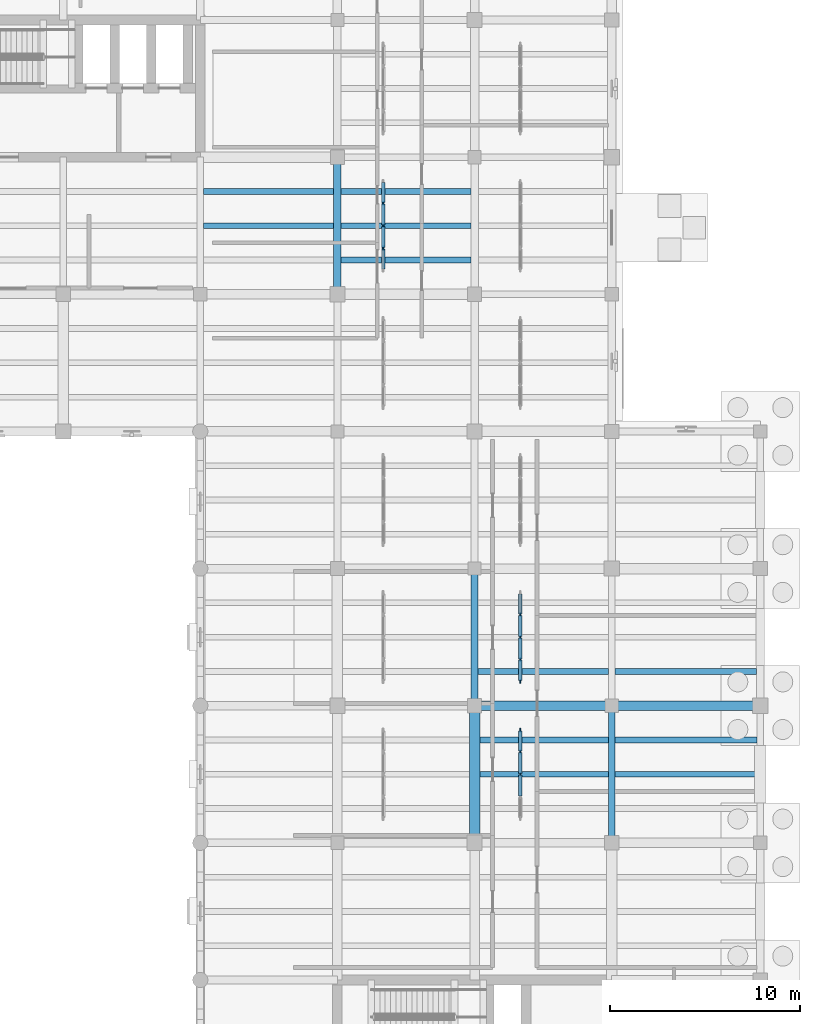
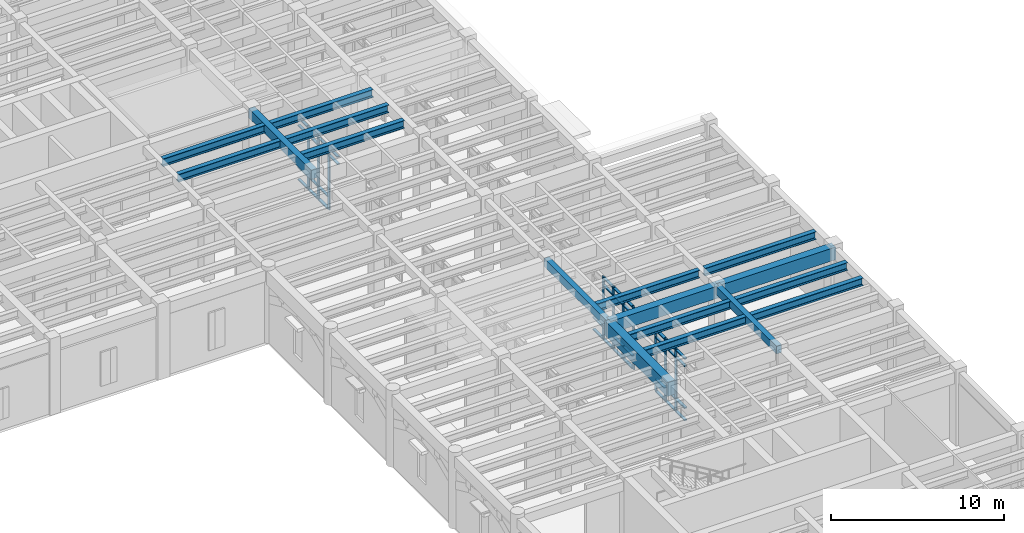
# One storey, part 43 of 100: 50 members, 17 beams, 3 elements without a shape of their own.
"""IFC4 building model written with IfcOpenShell, lengths in metres."""

from ifc_helpers import new_model, si_unit, direction, frame, origin, origin_2d, place, context, subcontext, project, spatial, rectangle, i_section, extrude, material, material_profile, profile_set, type_object, element, aggregate, save


model = new_model("IFC4")

# Units and contexts
model_context = context("Model", 3, precision=1e-05, world=origin(), true_north=direction((0.0, 1.0)))
body_context = subcontext(model_context, "Body", "Model", "MODEL_VIEW")
ifc_project = project(units=[si_unit("LENGTHUNIT", "METRE"), si_unit("AREAUNIT", "SQUARE_METRE"), si_unit("VOLUMEUNIT", "CUBIC_METRE"), si_unit("PLANEANGLEUNIT", "RADIAN"), si_unit("MASSUNIT", "GRAM", prefix="KILO")], contexts=[model_context])

# Site, building, storey
site_placement = place(None, origin())
site = spatial("IfcSite", under=ifc_project, at=site_placement, CompositionType="ELEMENT")
building_placement = place(site_placement, origin())
building = spatial("IfcBuilding", under=site, at=building_placement, Name="Mithqara Police Headquarters", CompositionType="ELEMENT")
storey_placement = place(building_placement, origin())
storey = spatial("IfcBuildingStorey", under=building, at=storey_placement, Name="L00", CompositionType="ELEMENT", Elevation=0.0)

# Beams
ifc_material_1 = material(Name="Steel S355JR", Category="steel")
ifc_material_profile_1 = material_profile(ifc_material_1, i_section(OverallWidth=0.300048828125, OverallDepth=0.550048828125, WebThickness=0.014892578125, FlangeThickness=0.029052734375, FilletRadius=0.027099609375, at=origin_2d()), Name="HEB 550")
ifc_profile_set_1 = profile_set([ifc_material_profile_1], Name="Steel S355JR")
beam_type_1 = type_object("IfcBeamType", Name="BEAM HEB550", PredefinedType="BEAM", material=ifc_profile_set_1)
for number, where, z_axis, x_axis, name in (
    (1, (144.77490234375, 89.39990234375, 4.844970703125), (1.0, 0.0, 0.0), (0.0, 1.0, 0.0), "L00 Composite Steel Joist 21-22/N.2"),
    (2, (144.77490234375, 91.199951171875, 4.844970703125), (1.0, 0.0, 0.0), (0.0, 1.0, 0.0), "L00 Composite Steel Joist 21-22/N.3"),
):
    element("IfcBeam", number, at=place(storey_placement, frame(where, z_axis=z_axis, x_axis=x_axis)), inside=storey, type_object=beam_type_1, Name=name, PredefinedType="BEAM", context=body_context, shape_type="SweptSolid", body=[
        extrude(i_section(OverallWidth=0.300048828125, OverallDepth=0.550048828125, WebThickness=0.014892578125, FlangeThickness=0.029052734375, FilletRadius=0.027099609375, at=origin_2d()), origin(), (0.0, 0.0, 1.0), 6.8251953125),
    ])
for number, where, z_axis, x_axis, name in (
    (3, (152.0, 87.60009765625, 4.844970703125), (1.0, 0.0, 0.0), (0.0, 1.0, 0.0), "L00 Composite Steel Joist 22-23/N.1"),
    (4, (152.0, 89.39990234375, 4.844970703125), (1.0, 0.0, 0.0), (0.0, 1.0, 0.0), "L00 Composite Steel Joist 22-23/N.2"),
    (5, (152.0, 91.199951171875, 4.844970703125), (1.0, 0.0, 0.0), (0.0, 1.0, 0.0), "L00 Composite Steel Joist 22-23/N.3"),
):
    element("IfcBeam", number, at=place(storey_placement, frame(where, z_axis=z_axis, x_axis=x_axis)), inside=storey, type_object=beam_type_1, Name=name, PredefinedType="BEAM", context=body_context, shape_type="SweptSolid", body=[
        extrude(i_section(OverallWidth=0.300048828125, OverallDepth=0.550048828125, WebThickness=0.014892578125, FlangeThickness=0.029052734375, FilletRadius=0.027099609375, at=origin_2d()), origin(), (0.0, 0.0, 1.0), 6.800048828125),
    ])
for number, where, z_axis, x_axis, name in (
    (6, (159.27490234375, 60.60009765625, 4.844970703125), (1.0, 0.0, 0.0), (0.0, 1.0, 0.0), "L00 Composite Steel Joist 23-24/J.2"),
    (7, (159.27490234375, 62.39990234375, 4.844970703125), (1.0, 0.0, 0.0), (0.0, 1.0, 0.0), "L00 Composite Steel Joist 23-24/J.3"),
):
    element("IfcBeam", number, at=place(storey_placement, frame(where, z_axis=z_axis, x_axis=x_axis)), inside=storey, type_object=beam_type_1, Name=name, PredefinedType="BEAM", context=body_context, shape_type="SweptSolid", body=[
        extrude(i_section(OverallWidth=0.300048828125, OverallDepth=0.550048828125, WebThickness=0.014892578125, FlangeThickness=0.029052734375, FilletRadius=0.027099609375, at=origin_2d()), origin(), (0.0, 0.0, 1.0), 6.75),
    ])
beam_1_placement = place(storey_placement, frame((159.175048828125, 66.0, 4.844970703125), z_axis=(1.0, 0.0, 0.0), x_axis=(0.0, 1.0, 0.0)))
element("IfcBeam", 8, at=beam_1_placement, inside=storey, type_object=beam_type_1, Name="L00 Composite Steel Joist 23-24/K.1", PredefinedType="BEAM", context=body_context, shape_type="SweptSolid", body=[
    extrude(i_section(OverallWidth=0.300048828125, OverallDepth=0.550048828125, WebThickness=0.014892578125, FlangeThickness=0.029052734375, FilletRadius=0.027099609375, at=origin_2d()), origin(), (0.0, 0.0, 1.0), 6.849853515625),
])
for number, where, z_axis, x_axis, name in (
    (9, (166.375, 60.60009765625, 4.844970703125), (1.0, 0.0, 0.0), (0.0, 1.0, 0.0), "L00 Composite Steel Joist 24-25/J.2"),
    (10, (166.375, 62.39990234375, 4.844970703125), (1.0, 0.0, 0.0), (0.0, 1.0, 0.0), "L00 Composite Steel Joist 24-25/J.3"),
):
    element("IfcBeam", number, at=place(storey_placement, frame(where, z_axis=z_axis, x_axis=x_axis)), inside=storey, type_object=beam_type_1, Name=name, PredefinedType="BEAM", context=body_context, shape_type="SweptSolid", body=[
        extrude(i_section(OverallWidth=0.300048828125, OverallDepth=0.550048828125, WebThickness=0.014892578125, FlangeThickness=0.029052734375, FilletRadius=0.027099609375, at=origin_2d()), origin(), (0.0, 0.0, 1.0), 7.449951171875),
    ])
beam_2_placement = place(storey_placement, frame((166.375, 66.0, 4.844970703125), z_axis=(1.0, 0.0, 0.0), x_axis=(0.0, 1.0, 0.0)))
element("IfcBeam", 11, at=beam_2_placement, inside=storey, type_object=beam_type_1, Name="L00 Composite Steel Joist 24-25/K.1", PredefinedType="BEAM", context=body_context, shape_type="SweptSolid", body=[
    extrude(i_section(OverallWidth=0.300048828125, OverallDepth=0.550048828125, WebThickness=0.014892578125, FlangeThickness=0.029052734375, FilletRadius=0.027099609375, at=origin_2d()), origin(), (0.0, 0.0, 1.0), 7.425048828125),
])
ifc_material_2 = material(Name="Concrete C40/50", Category="concrete")
ifc_material_profile_2 = material_profile(ifc_material_2, rectangle(XDim=0.35009765625, YDim=0.550048828125, at=origin_2d()), Name="RC 350x550")
ifc_profile_set_2 = profile_set([ifc_material_profile_2], Name="Concrete C40/50")
beam_type_2 = type_object("IfcBeamType", Name="BEAM RC350X550", PredefinedType="BEAM", material=ifc_profile_set_2)
for number, where, z_axis, x_axis, name in (
    (12, (159.0, 64.199951171875, 4.844970703125), (0.0, 1.0, 0.0), (-1.0, 0.0, 0.0), "L00 Girder 23/K-L"),
    (13, (166.199951171875, 57.0, 4.844970703125), (0.0, 1.0, 0.0), (-1.0, 0.0, 0.0), "L00 Girder 24/J-K"),
):
    element("IfcBeam", number, at=place(storey_placement, frame(where, z_axis=z_axis, x_axis=x_axis)), inside=storey, type_object=beam_type_2, Name=name, PredefinedType="BEAM", context=body_context, shape_type="SweptSolid", body=[
        extrude(rectangle(XDim=0.35009765625, YDim=0.550048828125, at=origin_2d()), origin(), (0.0, 0.0, 1.0), 7.199951171875),
    ])
ifc_material_profile_3 = material_profile(ifc_material_2, rectangle(XDim=0.39990234375, YDim=0.64990234375, at=origin_2d()), Name="RC 400x650")
ifc_profile_set_3 = profile_set([ifc_material_profile_3], Name="Concrete C40/50")
beam_type_3 = type_object("IfcBeamType", Name="BEAM RC400X650", PredefinedType="BEAM", material=ifc_profile_set_3)
beam_3_placement = place(storey_placement, frame((151.800048828125, 85.800048828125, 4.794921875), z_axis=(0.0, 1.0, 0.0), x_axis=(-1.0, 0.0, 0.0)))
element("IfcBeam", 14, at=beam_3_placement, inside=storey, type_object=beam_type_3, Name="L00 Girder 22/N-P", PredefinedType="BEAM", context=body_context, shape_type="SweptSolid", body=[
    extrude(rectangle(XDim=0.39990234375, YDim=0.64990234375, at=origin_2d()), origin(), (0.0, 0.0, 1.0), 7.199951171875),
])
ifc_material_profile_4 = material_profile(ifc_material_2, rectangle(XDim=0.5, YDim=0.85009765625, at=origin_2d()), Name="RC 500x850")
ifc_profile_set_4 = profile_set([ifc_material_profile_4], Name="Concrete C40/50")
beam_type_4 = type_object("IfcBeamType", Name="BEAM RC500X850", PredefinedType="BEAM", material=ifc_profile_set_4)
beam_4_placement = place(storey_placement, frame((159.0, 64.199951171875, 4.695068359375), z_axis=(1.0, 0.0, 0.0), x_axis=(0.0, 1.0, 0.0)))
element("IfcBeam", 15, at=beam_4_placement, inside=storey, type_object=beam_type_4, Name="L00 Girder 23-24/K", PredefinedType="BEAM", context=body_context, shape_type="SweptSolid", body=[
    extrude(rectangle(XDim=0.5, YDim=0.85009765625, at=origin_2d()), origin(), (0.0, 0.0, 1.0), 7.199951171875),
])
ifc_material_3 = material(Name="Concrete C50/60", Category="concrete")
ifc_material_profile_5 = material_profile(ifc_material_3, rectangle(XDim=0.5, YDim=0.89990234375, at=origin_2d()), Name="RC 500x900")
ifc_profile_set_5 = profile_set([ifc_material_profile_5], Name="Concrete C50/60")
beam_type_5 = type_object("IfcBeamType", Name="BEAM RC500X900", PredefinedType="BEAM", material=ifc_profile_set_5)
beam_5_placement = place(storey_placement, frame((166.199951171875, 64.199951171875, 4.669921875), z_axis=(1.0, 0.0, 0.0), x_axis=(0.0, 1.0, 0.0)))
element("IfcBeam", 16, at=beam_5_placement, inside=storey, type_object=beam_type_5, Name="L00 Girder 24-25/K", PredefinedType="BEAM", context=body_context, shape_type="SweptSolid", body=[
    extrude(rectangle(XDim=0.5, YDim=0.89990234375, at=origin_2d()), origin(), (0.0, 0.0, 1.0), 7.800048828125),
])
ifc_material_profile_6 = material_profile(ifc_material_3, rectangle(XDim=0.550048828125, YDim=1.0, at=origin_2d()), Name="RC 550x1000")
ifc_profile_set_6 = profile_set([ifc_material_profile_6], Name="Concrete C50/60")
beam_type_6 = type_object("IfcBeamType", Name="BEAM RC550X1000", PredefinedType="BEAM", material=ifc_profile_set_6)
beam_6_placement = place(storey_placement, frame((159.0, 57.0, 4.6201171875), z_axis=(0.0, 1.0, 0.0), x_axis=(-1.0, 0.0, 0.0)))
element("IfcBeam", 17, at=beam_6_placement, inside=storey, type_object=beam_type_6, Name="L00 Girder 23/J-K", PredefinedType="BEAM", context=body_context, shape_type="SweptSolid", body=[
    extrude(rectangle(XDim=0.550048828125, YDim=1.0, at=origin_2d()), origin(), (0.0, 0.0, 1.0), 7.199951171875),
])

# Curtain wall, members
ifc_material_4 = material(Name="Bronze anodised aluminium 6063-T6", Category="aluminium")
curtain_wall_type = type_object("IfcCurtainWallType", Name="CURTAIN WALL 4700X4400", PredefinedType="USERDEFINED", material=ifc_material_4)
curtain_wall_1_placement = place(storey_placement, origin())
curtain_wall_1 = element("IfcCurtainWall", 18, at=curtain_wall_1_placement, inside=storey, type_object=curtain_wall_type, Name="L00 Unitised Glazing CW-14 (CW-INT-L00-X21-Y12-0)", ObjectType="UNITISED GLAZING", PredefinedType="USERDEFINED")
ifc_material_profile_7 = material_profile(ifc_material_4, rectangle(XDim=0.074951171875, YDim=0.219970703125, at=origin_2d()), Name="CWM 75x220")
ifc_profile_set_7 = profile_set([ifc_material_profile_7], Name="Bronze anodised aluminium 6063-T6")
member_type_1 = type_object("IfcMemberType", Name="CWMULLION 75X220", PredefinedType="MULLION", material=ifc_profile_set_7)
member_1_placement = place(storey_placement, frame((154.199951171875, 88.22509765625, 0.0), z_axis=(0.0, 0.0, 1.0), x_axis=(-1.0, 0.0, 0.0)))
member_1 = element("IfcMember", 19, at=member_1_placement, type_object=member_type_1, Name="CW-14 mullion 2", PredefinedType="MULLION", context=body_context, shape_type="SweptSolid", body=[
    extrude(rectangle(XDim=0.074951171875, YDim=0.219970703125, at=origin_2d()), origin(), (0.0, 0.0, 1.0), 4.39990234375),
])
member_2_placement = place(storey_placement, frame((154.199951171875, 89.39990234375, 0.0), z_axis=(0.0, 0.0, 1.0), x_axis=(-1.0, 0.0, 0.0)))
member_2 = element("IfcMember", 20, at=member_2_placement, type_object=member_type_1, Name="CW-14 mullion 3", PredefinedType="MULLION", context=body_context, shape_type="SweptSolid", body=[
    extrude(rectangle(XDim=0.074951171875, YDim=0.219970703125, at=origin_2d()), origin(), (0.0, 0.0, 1.0), 4.39990234375),
])
member_3_placement = place(storey_placement, frame((154.199951171875, 90.574951171875, 0.0), z_axis=(0.0, 0.0, 1.0), x_axis=(-1.0, 0.0, 0.0)))
member_3 = element("IfcMember", 21, at=member_3_placement, type_object=member_type_1, Name="CW-14 mullion 4", PredefinedType="MULLION", context=body_context, shape_type="SweptSolid", body=[
    extrude(rectangle(XDim=0.074951171875, YDim=0.219970703125, at=origin_2d()), origin(), (0.0, 0.0, 1.0), 4.39990234375),
])

curtain_wall_2_placement = place(storey_placement, origin())
curtain_wall_2 = element("IfcCurtainWall", 22, at=curtain_wall_2_placement, inside=storey, type_object=curtain_wall_type, Name="L00 Unitised Glazing CW-14 (CW-INT-L00-X22-Y08-0)", ObjectType="UNITISED GLAZING", PredefinedType="USERDEFINED")
member_4_placement = place(storey_placement, frame((161.39990234375, 60.60009765625, 0.0), z_axis=(0.0, 0.0, 1.0), x_axis=(-1.0, 0.0, 0.0)))
member_4 = element("IfcMember", 23, at=member_4_placement, type_object=member_type_1, Name="CW-14 mullion 3", PredefinedType="MULLION", context=body_context, shape_type="SweptSolid", body=[
    extrude(rectangle(XDim=0.074951171875, YDim=0.219970703125, at=origin_2d()), origin(), (0.0, 0.0, 1.0), 4.39990234375),
])
member_5_placement = place(storey_placement, frame((161.39990234375, 61.77490234375, 0.0), z_axis=(0.0, 0.0, 1.0), x_axis=(-1.0, 0.0, 0.0)))
member_5 = element("IfcMember", 24, at=member_5_placement, type_object=member_type_1, Name="CW-14 mullion 4", PredefinedType="MULLION", context=body_context, shape_type="SweptSolid", body=[
    extrude(rectangle(XDim=0.074951171875, YDim=0.219970703125, at=origin_2d()), origin(), (0.0, 0.0, 1.0), 4.39990234375),
])
member_6_placement = place(storey_placement, frame((161.39990234375, 62.91259765625, 0.0), z_axis=(0.0, 0.0, 1.0), x_axis=(-1.0, 0.0, 0.0)))
member_6 = element("IfcMember", 25, at=member_6_placement, type_object=member_type_1, Name="CW-14 mullion 5", PredefinedType="MULLION", context=body_context, shape_type="SweptSolid", body=[
    extrude(rectangle(XDim=0.074951171875, YDim=0.219970703125, at=origin_2d()), origin(), (0.0, 0.0, 1.0), 4.39990234375),
])

curtain_wall_3_placement = place(storey_placement, origin())
curtain_wall_3 = element("IfcCurtainWall", 26, at=curtain_wall_3_placement, inside=storey, type_object=curtain_wall_type, Name="L00 Unitised Glazing CW-14 (CW-INT-L00-X22-Y09-0)", ObjectType="UNITISED GLAZING", PredefinedType="USERDEFINED")
member_7_placement = place(storey_placement, frame((161.39990234375, 65.487548828125, 0.0), z_axis=(0.0, 0.0, 1.0), x_axis=(-1.0, 0.0, 0.0)))
member_7 = element("IfcMember", 27, at=member_7_placement, type_object=member_type_1, Name="CW-14 mullion 1", PredefinedType="MULLION", context=body_context, shape_type="SweptSolid", body=[
    extrude(rectangle(XDim=0.074951171875, YDim=0.219970703125, at=origin_2d()), origin(), (0.0, 0.0, 1.0), 4.39990234375),
])
member_8_placement = place(storey_placement, frame((161.39990234375, 66.625, 0.0), z_axis=(0.0, 0.0, 1.0), x_axis=(-1.0, 0.0, 0.0)))
member_8 = element("IfcMember", 28, at=member_8_placement, type_object=member_type_1, Name="CW-14 mullion 2", PredefinedType="MULLION", context=body_context, shape_type="SweptSolid", body=[
    extrude(rectangle(XDim=0.074951171875, YDim=0.219970703125, at=origin_2d()), origin(), (0.0, 0.0, 1.0), 4.39990234375),
])
member_9_placement = place(storey_placement, frame((161.39990234375, 67.800048828125, 0.0), z_axis=(0.0, 0.0, 1.0), x_axis=(-1.0, 0.0, 0.0)))
member_9 = element("IfcMember", 29, at=member_9_placement, type_object=member_type_1, Name="CW-14 mullion 3", PredefinedType="MULLION", context=body_context, shape_type="SweptSolid", body=[
    extrude(rectangle(XDim=0.074951171875, YDim=0.219970703125, at=origin_2d()), origin(), (0.0, 0.0, 1.0), 4.39990234375),
])
member_10_placement = place(storey_placement, frame((161.39990234375, 68.97509765625, 0.0), z_axis=(0.0, 0.0, 1.0), x_axis=(-1.0, 0.0, 0.0)))
member_10 = element("IfcMember", 30, at=member_10_placement, type_object=member_type_1, Name="CW-14 mullion 4", PredefinedType="MULLION", context=body_context, shape_type="SweptSolid", body=[
    extrude(rectangle(XDim=0.074951171875, YDim=0.219970703125, at=origin_2d()), origin(), (0.0, 0.0, 1.0), 4.39990234375),
])

# Member
ifc_material_profile_8 = material_profile(ifc_material_4, rectangle(XDim=0.179931640625, YDim=0.074951171875, at=origin_2d()), Name="CWT 180x75")
ifc_profile_set_8 = profile_set([ifc_material_profile_8], Name="Bronze anodised aluminium 6063-T6")
member_type_2 = type_object("IfcMemberType", Name="CWTRANSOM 180X75", PredefinedType="USERDEFINED", material=ifc_profile_set_8)
member_11_placement = place(storey_placement, frame((154.199951171875, 87.125, 3.85009765625), z_axis=(0.0, 1.0, 0.0), x_axis=(-1.0, 0.0, 0.0)))
member_11 = element("IfcMember", 31, at=member_11_placement, type_object=member_type_2, Name="CW-14 transom 1.3", ObjectType="TRANSOM", PredefinedType="USERDEFINED", context=body_context, shape_type="SweptSolid", body=[
    extrude(rectangle(XDim=0.179931640625, YDim=0.074951171875, at=origin_2d()), origin(), (0.0, 0.0, 1.0), 1.0625),
])

member_12_placement = place(storey_placement, frame((154.199951171875, 87.125, 4.362548828125), z_axis=(0.0, 1.0, 0.0), x_axis=(-1.0, 0.0, 0.0)))
member_12 = element("IfcMember", 32, at=member_12_placement, type_object=member_type_2, Name="CW-14 transom 1.4", ObjectType="TRANSOM", PredefinedType="USERDEFINED", context=body_context, shape_type="SweptSolid", body=[
    extrude(rectangle(XDim=0.179931640625, YDim=0.074951171875, at=origin_2d()), origin(), (0.0, 0.0, 1.0), 1.0625),
])

member_13_placement = place(storey_placement, frame((154.199951171875, 88.262451171875, 0.03759765625), z_axis=(0.0, 1.0, 0.0), x_axis=(-1.0, 0.0, 0.0)))
member_13 = element("IfcMember", 33, at=member_13_placement, type_object=member_type_2, Name="CW-14 transom 2.1", ObjectType="TRANSOM", PredefinedType="USERDEFINED", context=body_context, shape_type="SweptSolid", body=[
    extrude(rectangle(XDim=0.179931640625, YDim=0.074951171875, at=origin_2d()), origin(), (0.0, 0.0, 1.0), 1.10009765625),
])

member_14_placement = place(storey_placement, frame((154.199951171875, 88.262451171875, 0.89990234375), z_axis=(0.0, 1.0, 0.0), x_axis=(-1.0, 0.0, 0.0)))
member_14 = element("IfcMember", 34, at=member_14_placement, type_object=member_type_2, Name="CW-14 transom 2.2", ObjectType="TRANSOM", PredefinedType="USERDEFINED", context=body_context, shape_type="SweptSolid", body=[
    extrude(rectangle(XDim=0.179931640625, YDim=0.074951171875, at=origin_2d()), origin(), (0.0, 0.0, 1.0), 1.10009765625),
])

member_15_placement = place(storey_placement, frame((154.199951171875, 88.262451171875, 3.85009765625), z_axis=(0.0, 1.0, 0.0), x_axis=(-1.0, 0.0, 0.0)))
member_15 = element("IfcMember", 35, at=member_15_placement, type_object=member_type_2, Name="CW-14 transom 2.3", ObjectType="TRANSOM", PredefinedType="USERDEFINED", context=body_context, shape_type="SweptSolid", body=[
    extrude(rectangle(XDim=0.179931640625, YDim=0.074951171875, at=origin_2d()), origin(), (0.0, 0.0, 1.0), 1.10009765625),
])

member_16_placement = place(storey_placement, frame((154.199951171875, 88.262451171875, 4.362548828125), z_axis=(0.0, 1.0, 0.0), x_axis=(-1.0, 0.0, 0.0)))
member_16 = element("IfcMember", 36, at=member_16_placement, type_object=member_type_2, Name="CW-14 transom 2.4", ObjectType="TRANSOM", PredefinedType="USERDEFINED", context=body_context, shape_type="SweptSolid", body=[
    extrude(rectangle(XDim=0.179931640625, YDim=0.074951171875, at=origin_2d()), origin(), (0.0, 0.0, 1.0), 1.10009765625),
])

member_17_placement = place(storey_placement, frame((154.199951171875, 89.4375, 0.03759765625), z_axis=(0.0, 1.0, 0.0), x_axis=(-1.0, 0.0, 0.0)))
member_17 = element("IfcMember", 37, at=member_17_placement, type_object=member_type_2, Name="CW-14 transom 3.1", ObjectType="TRANSOM", PredefinedType="USERDEFINED", context=body_context, shape_type="SweptSolid", body=[
    extrude(rectangle(XDim=0.179931640625, YDim=0.074951171875, at=origin_2d()), origin(), (0.0, 0.0, 1.0), 1.10009765625),
])

member_18_placement = place(storey_placement, frame((154.199951171875, 89.4375, 0.89990234375), z_axis=(0.0, 1.0, 0.0), x_axis=(-1.0, 0.0, 0.0)))
member_18 = element("IfcMember", 38, at=member_18_placement, type_object=member_type_2, Name="CW-14 transom 3.2", ObjectType="TRANSOM", PredefinedType="USERDEFINED", context=body_context, shape_type="SweptSolid", body=[
    extrude(rectangle(XDim=0.179931640625, YDim=0.074951171875, at=origin_2d()), origin(), (0.0, 0.0, 1.0), 1.10009765625),
])

member_19_placement = place(storey_placement, frame((154.199951171875, 89.4375, 3.85009765625), z_axis=(0.0, 1.0, 0.0), x_axis=(-1.0, 0.0, 0.0)))
member_19 = element("IfcMember", 39, at=member_19_placement, type_object=member_type_2, Name="CW-14 transom 3.3", ObjectType="TRANSOM", PredefinedType="USERDEFINED", context=body_context, shape_type="SweptSolid", body=[
    extrude(rectangle(XDim=0.179931640625, YDim=0.074951171875, at=origin_2d()), origin(), (0.0, 0.0, 1.0), 1.10009765625),
])

member_20_placement = place(storey_placement, frame((154.199951171875, 89.4375, 4.362548828125), z_axis=(0.0, 1.0, 0.0), x_axis=(-1.0, 0.0, 0.0)))
member_20 = element("IfcMember", 40, at=member_20_placement, type_object=member_type_2, Name="CW-14 transom 3.4", ObjectType="TRANSOM", PredefinedType="USERDEFINED", context=body_context, shape_type="SweptSolid", body=[
    extrude(rectangle(XDim=0.179931640625, YDim=0.074951171875, at=origin_2d()), origin(), (0.0, 0.0, 1.0), 1.10009765625),
])

member_21_placement = place(storey_placement, frame((154.199951171875, 90.612548828125, 0.03759765625), z_axis=(0.0, 1.0, 0.0), x_axis=(-1.0, 0.0, 0.0)))
member_21 = element("IfcMember", 41, at=member_21_placement, type_object=member_type_2, Name="CW-14 transom 4.1", ObjectType="TRANSOM", PredefinedType="USERDEFINED", context=body_context, shape_type="SweptSolid", body=[
    extrude(rectangle(XDim=0.179931640625, YDim=0.074951171875, at=origin_2d()), origin(), (0.0, 0.0, 1.0), 1.0625),
])

member_22_placement = place(storey_placement, frame((154.199951171875, 90.612548828125, 0.89990234375), z_axis=(0.0, 1.0, 0.0), x_axis=(-1.0, 0.0, 0.0)))
member_22 = element("IfcMember", 42, at=member_22_placement, type_object=member_type_2, Name="CW-14 transom 4.2", ObjectType="TRANSOM", PredefinedType="USERDEFINED", context=body_context, shape_type="SweptSolid", body=[
    extrude(rectangle(XDim=0.179931640625, YDim=0.074951171875, at=origin_2d()), origin(), (0.0, 0.0, 1.0), 1.0625),
])

member_23_placement = place(storey_placement, frame((154.199951171875, 90.612548828125, 3.85009765625), z_axis=(0.0, 1.0, 0.0), x_axis=(-1.0, 0.0, 0.0)))
member_23 = element("IfcMember", 43, at=member_23_placement, type_object=member_type_2, Name="CW-14 transom 4.3", ObjectType="TRANSOM", PredefinedType="USERDEFINED", context=body_context, shape_type="SweptSolid", body=[
    extrude(rectangle(XDim=0.179931640625, YDim=0.074951171875, at=origin_2d()), origin(), (0.0, 0.0, 1.0), 1.0625),
])

member_24_placement = place(storey_placement, frame((154.199951171875, 90.612548828125, 4.362548828125), z_axis=(0.0, 1.0, 0.0), x_axis=(-1.0, 0.0, 0.0)))
member_24 = element("IfcMember", 44, at=member_24_placement, type_object=member_type_2, Name="CW-14 transom 4.4", ObjectType="TRANSOM", PredefinedType="USERDEFINED", context=body_context, shape_type="SweptSolid", body=[
    extrude(rectangle(XDim=0.179931640625, YDim=0.074951171875, at=origin_2d()), origin(), (0.0, 0.0, 1.0), 1.0625),
])

aggregate(curtain_wall_1, [member_1, member_2, member_3, member_11, member_12, member_13, member_14, member_15, member_16, member_17, member_18, member_19, member_20, member_21, member_22, member_23, member_24])

member_25_placement = place(storey_placement, frame((161.39990234375, 59.46240234375, 0.03759765625), z_axis=(0.0, 1.0, 0.0), x_axis=(-1.0, 0.0, 0.0)))
member_25 = element("IfcMember", 45, at=member_25_placement, type_object=member_type_2, Name="CW-14 transom 2.1", ObjectType="TRANSOM", PredefinedType="USERDEFINED", context=body_context, shape_type="SweptSolid", body=[
    extrude(rectangle(XDim=0.179931640625, YDim=0.074951171875, at=origin_2d()), origin(), (0.0, 0.0, 1.0), 1.10009765625),
])

member_26_placement = place(storey_placement, frame((161.39990234375, 59.46240234375, 0.89990234375), z_axis=(0.0, 1.0, 0.0), x_axis=(-1.0, 0.0, 0.0)))
member_26 = element("IfcMember", 46, at=member_26_placement, type_object=member_type_2, Name="CW-14 transom 2.2", ObjectType="TRANSOM", PredefinedType="USERDEFINED", context=body_context, shape_type="SweptSolid", body=[
    extrude(rectangle(XDim=0.179931640625, YDim=0.074951171875, at=origin_2d()), origin(), (0.0, 0.0, 1.0), 1.10009765625),
])

member_27_placement = place(storey_placement, frame((161.39990234375, 59.46240234375, 3.85009765625), z_axis=(0.0, 1.0, 0.0), x_axis=(-1.0, 0.0, 0.0)))
member_27 = element("IfcMember", 47, at=member_27_placement, type_object=member_type_2, Name="CW-14 transom 2.3", ObjectType="TRANSOM", PredefinedType="USERDEFINED", context=body_context, shape_type="SweptSolid", body=[
    extrude(rectangle(XDim=0.179931640625, YDim=0.074951171875, at=origin_2d()), origin(), (0.0, 0.0, 1.0), 1.10009765625),
])

member_28_placement = place(storey_placement, frame((161.39990234375, 59.46240234375, 4.362548828125), z_axis=(0.0, 1.0, 0.0), x_axis=(-1.0, 0.0, 0.0)))
member_28 = element("IfcMember", 48, at=member_28_placement, type_object=member_type_2, Name="CW-14 transom 2.4", ObjectType="TRANSOM", PredefinedType="USERDEFINED", context=body_context, shape_type="SweptSolid", body=[
    extrude(rectangle(XDim=0.179931640625, YDim=0.074951171875, at=origin_2d()), origin(), (0.0, 0.0, 1.0), 1.10009765625),
])

member_29_placement = place(storey_placement, frame((161.39990234375, 60.637451171875, 0.03759765625), z_axis=(0.0, 1.0, 0.0), x_axis=(-1.0, 0.0, 0.0)))
member_29 = element("IfcMember", 49, at=member_29_placement, type_object=member_type_2, Name="CW-14 transom 3.1", ObjectType="TRANSOM", PredefinedType="USERDEFINED", context=body_context, shape_type="SweptSolid", body=[
    extrude(rectangle(XDim=0.179931640625, YDim=0.074951171875, at=origin_2d()), origin(), (0.0, 0.0, 1.0), 1.10009765625),
])

member_30_placement = place(storey_placement, frame((161.39990234375, 60.637451171875, 0.89990234375), z_axis=(0.0, 1.0, 0.0), x_axis=(-1.0, 0.0, 0.0)))
member_30 = element("IfcMember", 50, at=member_30_placement, type_object=member_type_2, Name="CW-14 transom 3.2", ObjectType="TRANSOM", PredefinedType="USERDEFINED", context=body_context, shape_type="SweptSolid", body=[
    extrude(rectangle(XDim=0.179931640625, YDim=0.074951171875, at=origin_2d()), origin(), (0.0, 0.0, 1.0), 1.10009765625),
])

member_31_placement = place(storey_placement, frame((161.39990234375, 60.637451171875, 3.85009765625), z_axis=(0.0, 1.0, 0.0), x_axis=(-1.0, 0.0, 0.0)))
member_31 = element("IfcMember", 51, at=member_31_placement, type_object=member_type_2, Name="CW-14 transom 3.3", ObjectType="TRANSOM", PredefinedType="USERDEFINED", context=body_context, shape_type="SweptSolid", body=[
    extrude(rectangle(XDim=0.179931640625, YDim=0.074951171875, at=origin_2d()), origin(), (0.0, 0.0, 1.0), 1.10009765625),
])

member_32_placement = place(storey_placement, frame((161.39990234375, 60.637451171875, 4.362548828125), z_axis=(0.0, 1.0, 0.0), x_axis=(-1.0, 0.0, 0.0)))
member_32 = element("IfcMember", 52, at=member_32_placement, type_object=member_type_2, Name="CW-14 transom 3.4", ObjectType="TRANSOM", PredefinedType="USERDEFINED", context=body_context, shape_type="SweptSolid", body=[
    extrude(rectangle(XDim=0.179931640625, YDim=0.074951171875, at=origin_2d()), origin(), (0.0, 0.0, 1.0), 1.10009765625),
])

member_33_placement = place(storey_placement, frame((161.39990234375, 61.8125, 0.03759765625), z_axis=(0.0, 1.0, 0.0), x_axis=(-1.0, 0.0, 0.0)))
member_33 = element("IfcMember", 53, at=member_33_placement, type_object=member_type_2, Name="CW-14 transom 4.1", ObjectType="TRANSOM", PredefinedType="USERDEFINED", context=body_context, shape_type="SweptSolid", body=[
    extrude(rectangle(XDim=0.179931640625, YDim=0.074951171875, at=origin_2d()), origin(), (0.0, 0.0, 1.0), 1.0625),
])

member_34_placement = place(storey_placement, frame((161.39990234375, 61.8125, 0.89990234375), z_axis=(0.0, 1.0, 0.0), x_axis=(-1.0, 0.0, 0.0)))
member_34 = element("IfcMember", 54, at=member_34_placement, type_object=member_type_2, Name="CW-14 transom 4.2", ObjectType="TRANSOM", PredefinedType="USERDEFINED", context=body_context, shape_type="SweptSolid", body=[
    extrude(rectangle(XDim=0.179931640625, YDim=0.074951171875, at=origin_2d()), origin(), (0.0, 0.0, 1.0), 1.0625),
])

member_35_placement = place(storey_placement, frame((161.39990234375, 61.8125, 3.85009765625), z_axis=(0.0, 1.0, 0.0), x_axis=(-1.0, 0.0, 0.0)))
member_35 = element("IfcMember", 55, at=member_35_placement, type_object=member_type_2, Name="CW-14 transom 4.3", ObjectType="TRANSOM", PredefinedType="USERDEFINED", context=body_context, shape_type="SweptSolid", body=[
    extrude(rectangle(XDim=0.179931640625, YDim=0.074951171875, at=origin_2d()), origin(), (0.0, 0.0, 1.0), 1.0625),
])

member_36_placement = place(storey_placement, frame((161.39990234375, 61.8125, 4.362548828125), z_axis=(0.0, 1.0, 0.0), x_axis=(-1.0, 0.0, 0.0)))
member_36 = element("IfcMember", 56, at=member_36_placement, type_object=member_type_2, Name="CW-14 transom 4.4", ObjectType="TRANSOM", PredefinedType="USERDEFINED", context=body_context, shape_type="SweptSolid", body=[
    extrude(rectangle(XDim=0.179931640625, YDim=0.074951171875, at=origin_2d()), origin(), (0.0, 0.0, 1.0), 1.0625),
])

aggregate(curtain_wall_2, [member_4, member_5, member_6, member_25, member_26, member_27, member_28, member_29, member_30, member_31, member_32, member_33, member_34, member_35, member_36])

member_37_placement = place(storey_placement, frame((161.39990234375, 65.52490234375, 0.03759765625), z_axis=(0.0, 1.0, 0.0), x_axis=(-1.0, 0.0, 0.0)))
member_37 = element("IfcMember", 57, at=member_37_placement, type_object=member_type_2, Name="CW-14 transom 1.1", ObjectType="TRANSOM", PredefinedType="USERDEFINED", context=body_context, shape_type="SweptSolid", body=[
    extrude(rectangle(XDim=0.179931640625, YDim=0.074951171875, at=origin_2d()), origin(), (0.0, 0.0, 1.0), 1.0625),
])

member_38_placement = place(storey_placement, frame((161.39990234375, 65.52490234375, 0.89990234375), z_axis=(0.0, 1.0, 0.0), x_axis=(-1.0, 0.0, 0.0)))
member_38 = element("IfcMember", 58, at=member_38_placement, type_object=member_type_2, Name="CW-14 transom 1.2", ObjectType="TRANSOM", PredefinedType="USERDEFINED", context=body_context, shape_type="SweptSolid", body=[
    extrude(rectangle(XDim=0.179931640625, YDim=0.074951171875, at=origin_2d()), origin(), (0.0, 0.0, 1.0), 1.0625),
])

member_39_placement = place(storey_placement, frame((161.39990234375, 65.52490234375, 3.85009765625), z_axis=(0.0, 1.0, 0.0), x_axis=(-1.0, 0.0, 0.0)))
member_39 = element("IfcMember", 59, at=member_39_placement, type_object=member_type_2, Name="CW-14 transom 1.3", ObjectType="TRANSOM", PredefinedType="USERDEFINED", context=body_context, shape_type="SweptSolid", body=[
    extrude(rectangle(XDim=0.179931640625, YDim=0.074951171875, at=origin_2d()), origin(), (0.0, 0.0, 1.0), 1.0625),
])

member_40_placement = place(storey_placement, frame((161.39990234375, 65.52490234375, 4.362548828125), z_axis=(0.0, 1.0, 0.0), x_axis=(-1.0, 0.0, 0.0)))
member_40 = element("IfcMember", 60, at=member_40_placement, type_object=member_type_2, Name="CW-14 transom 1.4", ObjectType="TRANSOM", PredefinedType="USERDEFINED", context=body_context, shape_type="SweptSolid", body=[
    extrude(rectangle(XDim=0.179931640625, YDim=0.074951171875, at=origin_2d()), origin(), (0.0, 0.0, 1.0), 1.0625),
])

member_41_placement = place(storey_placement, frame((161.39990234375, 66.66259765625, 0.03759765625), z_axis=(0.0, 1.0, 0.0), x_axis=(-1.0, 0.0, 0.0)))
member_41 = element("IfcMember", 61, at=member_41_placement, type_object=member_type_2, Name="CW-14 transom 2.1", ObjectType="TRANSOM", PredefinedType="USERDEFINED", context=body_context, shape_type="SweptSolid", body=[
    extrude(rectangle(XDim=0.179931640625, YDim=0.074951171875, at=origin_2d()), origin(), (0.0, 0.0, 1.0), 1.099853515625),
])

member_42_placement = place(storey_placement, frame((161.39990234375, 66.66259765625, 0.89990234375), z_axis=(0.0, 1.0, 0.0), x_axis=(-1.0, 0.0, 0.0)))
member_42 = element("IfcMember", 62, at=member_42_placement, type_object=member_type_2, Name="CW-14 transom 2.2", ObjectType="TRANSOM", PredefinedType="USERDEFINED", context=body_context, shape_type="SweptSolid", body=[
    extrude(rectangle(XDim=0.179931640625, YDim=0.074951171875, at=origin_2d()), origin(), (0.0, 0.0, 1.0), 1.099853515625),
])

member_43_placement = place(storey_placement, frame((161.39990234375, 66.66259765625, 3.85009765625), z_axis=(0.0, 1.0, 0.0), x_axis=(-1.0, 0.0, 0.0)))
member_43 = element("IfcMember", 63, at=member_43_placement, type_object=member_type_2, Name="CW-14 transom 2.3", ObjectType="TRANSOM", PredefinedType="USERDEFINED", context=body_context, shape_type="SweptSolid", body=[
    extrude(rectangle(XDim=0.179931640625, YDim=0.074951171875, at=origin_2d()), origin(), (0.0, 0.0, 1.0), 1.099853515625),
])

member_44_placement = place(storey_placement, frame((161.39990234375, 66.66259765625, 4.362548828125), z_axis=(0.0, 1.0, 0.0), x_axis=(-1.0, 0.0, 0.0)))
member_44 = element("IfcMember", 64, at=member_44_placement, type_object=member_type_2, Name="CW-14 transom 2.4", ObjectType="TRANSOM", PredefinedType="USERDEFINED", context=body_context, shape_type="SweptSolid", body=[
    extrude(rectangle(XDim=0.179931640625, YDim=0.074951171875, at=origin_2d()), origin(), (0.0, 0.0, 1.0), 1.099853515625),
])

member_45_placement = place(storey_placement, frame((161.39990234375, 67.83740234375, 0.03759765625), z_axis=(0.0, 1.0, 0.0), x_axis=(-1.0, 0.0, 0.0)))
member_45 = element("IfcMember", 65, at=member_45_placement, type_object=member_type_2, Name="CW-14 transom 3.1", ObjectType="TRANSOM", PredefinedType="USERDEFINED", context=body_context, shape_type="SweptSolid", body=[
    extrude(rectangle(XDim=0.179931640625, YDim=0.074951171875, at=origin_2d()), origin(), (0.0, 0.0, 1.0), 1.10009765625),
])

member_46_placement = place(storey_placement, frame((161.39990234375, 67.83740234375, 0.89990234375), z_axis=(0.0, 1.0, 0.0), x_axis=(-1.0, 0.0, 0.0)))
member_46 = element("IfcMember", 66, at=member_46_placement, type_object=member_type_2, Name="CW-14 transom 3.2", ObjectType="TRANSOM", PredefinedType="USERDEFINED", context=body_context, shape_type="SweptSolid", body=[
    extrude(rectangle(XDim=0.179931640625, YDim=0.074951171875, at=origin_2d()), origin(), (0.0, 0.0, 1.0), 1.10009765625),
])

member_47_placement = place(storey_placement, frame((161.39990234375, 67.83740234375, 3.85009765625), z_axis=(0.0, 1.0, 0.0), x_axis=(-1.0, 0.0, 0.0)))
member_47 = element("IfcMember", 67, at=member_47_placement, type_object=member_type_2, Name="CW-14 transom 3.3", ObjectType="TRANSOM", PredefinedType="USERDEFINED", context=body_context, shape_type="SweptSolid", body=[
    extrude(rectangle(XDim=0.179931640625, YDim=0.074951171875, at=origin_2d()), origin(), (0.0, 0.0, 1.0), 1.10009765625),
])

member_48_placement = place(storey_placement, frame((161.39990234375, 67.83740234375, 4.362548828125), z_axis=(0.0, 1.0, 0.0), x_axis=(-1.0, 0.0, 0.0)))
member_48 = element("IfcMember", 68, at=member_48_placement, type_object=member_type_2, Name="CW-14 transom 3.4", ObjectType="TRANSOM", PredefinedType="USERDEFINED", context=body_context, shape_type="SweptSolid", body=[
    extrude(rectangle(XDim=0.179931640625, YDim=0.074951171875, at=origin_2d()), origin(), (0.0, 0.0, 1.0), 1.10009765625),
])

member_49_placement = place(storey_placement, frame((161.39990234375, 69.012451171875, 0.03759765625), z_axis=(0.0, 1.0, 0.0), x_axis=(-1.0, 0.0, 0.0)))
member_49 = element("IfcMember", 69, at=member_49_placement, type_object=member_type_2, Name="CW-14 transom 4.1", ObjectType="TRANSOM", PredefinedType="USERDEFINED", context=body_context, shape_type="SweptSolid", body=[
    extrude(rectangle(XDim=0.179931640625, YDim=0.074951171875, at=origin_2d()), origin(), (0.0, 0.0, 1.0), 1.0625),
])

member_50_placement = place(storey_placement, frame((161.39990234375, 69.012451171875, 0.89990234375), z_axis=(0.0, 1.0, 0.0), x_axis=(-1.0, 0.0, 0.0)))
member_50 = element("IfcMember", 70, at=member_50_placement, type_object=member_type_2, Name="CW-14 transom 4.2", ObjectType="TRANSOM", PredefinedType="USERDEFINED", context=body_context, shape_type="SweptSolid", body=[
    extrude(rectangle(XDim=0.179931640625, YDim=0.074951171875, at=origin_2d()), origin(), (0.0, 0.0, 1.0), 1.0625),
])

aggregate(curtain_wall_3, [member_7, member_8, member_9, member_10, member_37, member_38, member_39, member_40, member_41, member_42, member_43, member_44, member_45, member_46, member_47, member_48, member_49, member_50])

save(model, "model.ifc")
